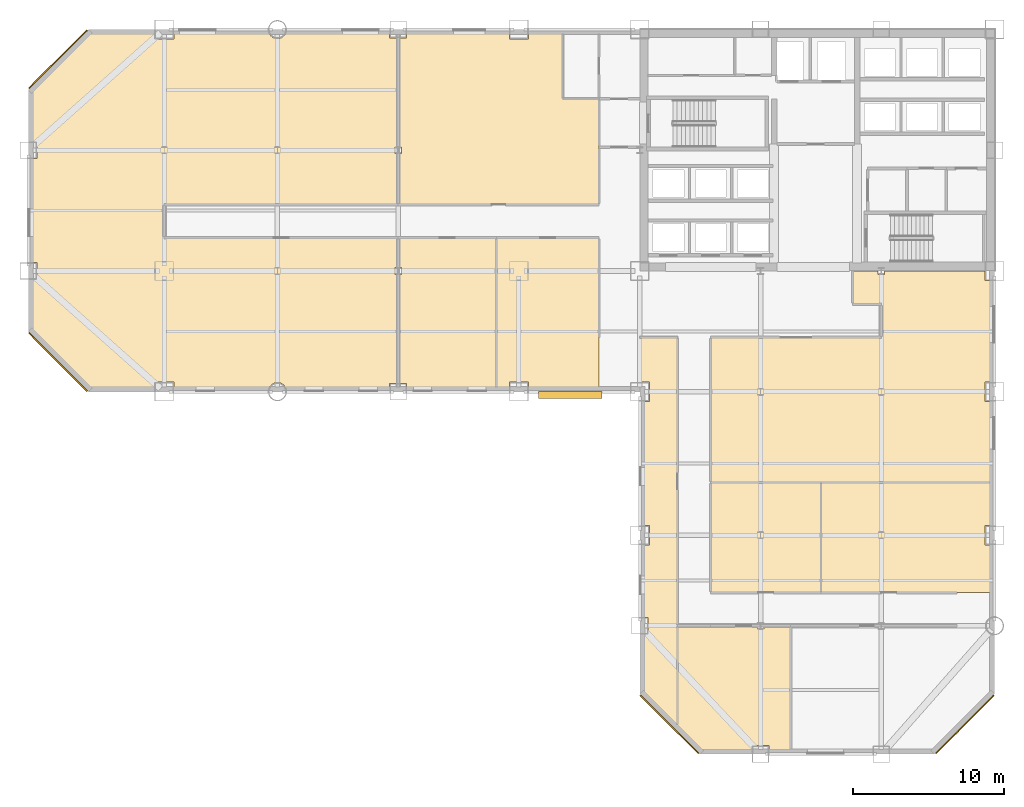
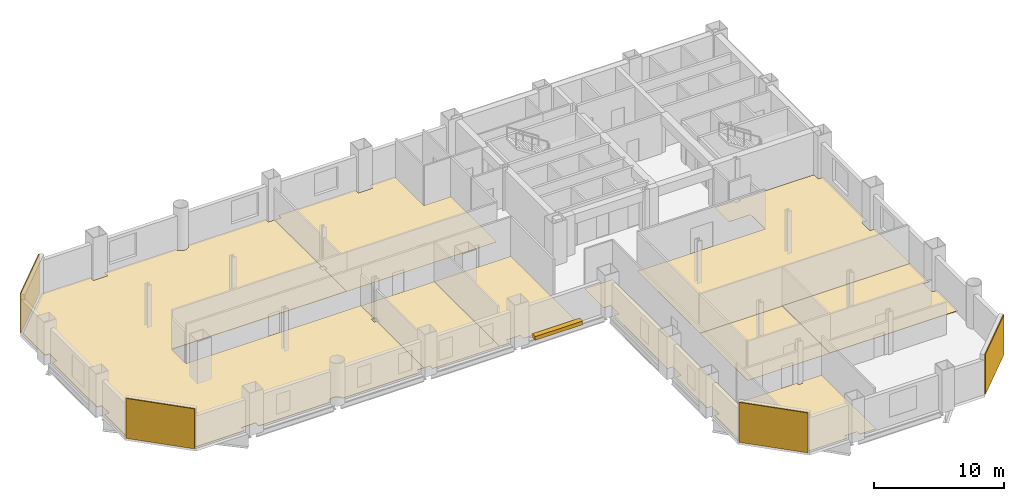
# One storey, part 8 of 9: 13 coverings, 1 shading device.
"""IFC4 building model written with IfcOpenShell, lengths in metres."""

from ifc_helpers import new_model, si_unit, direction, frame, origin, origin_2d, place, context, subcontext, project, spatial, polyline, rectangle, outline, extrude, material, layer, layer_set, type_object, element, save


model = new_model("IFC4")

# Units and contexts
model_context = context("Model", 3, precision=1e-05, world=origin(), true_north=direction((0.0, 1.0)))
body_context = subcontext(model_context, "Body", "Model", "MODEL_VIEW")
ifc_project = project(units=[si_unit("LENGTHUNIT", "METRE"), si_unit("AREAUNIT", "SQUARE_METRE"), si_unit("VOLUMEUNIT", "CUBIC_METRE"), si_unit("PLANEANGLEUNIT", "RADIAN"), si_unit("MASSUNIT", "GRAM", prefix="KILO")], contexts=[model_context])

# Site, building, storey
site_placement = place(None, origin())
site = spatial("IfcSite", under=ifc_project, at=site_placement, CompositionType="ELEMENT")
building_placement = place(site_placement, origin())
building = spatial("IfcBuilding", under=site, at=building_placement, Name="Qianrong Seaharbour Tower", CompositionType="ELEMENT")
storey_placement = place(building_placement, frame((0.0, 0.0, 60.199951171875)))
storey = spatial("IfcBuildingStorey", under=building, at=storey_placement, Name="L14", CompositionType="ELEMENT", Elevation=60.199951171875)

# Coverings
ifc_material_1 = material(Name="Unitised red brick cladding on Precast concrete C45/55", Category="masonry")
ifc_layer_1 = layer(ifc_material_1, 0.080078125)
ifc_layer_set_1 = layer_set([ifc_layer_1], Name="Unitised red brick cladding on Precast concrete C45/55")
covering_type_1 = type_object("IfcCoveringType", Name="COV-CLAD-RED-BRICK-80", PredefinedType="CLADDING", material=ifc_layer_set_1)
for number, where, z_axis, x_axis, name in (
    (1, (1.9716796875, 29.9716796875, 0.0), (0.0, 0.0, 1.0), (-0.707106781187, 0.707106781187, 0.0), "L14 Chamfer Corner Brick Cladding 02"),
    (2, (1.9716796875, 50.0283203125, 0.0), (0.0, 0.0, 1.0), (0.707106781187, 0.707106781187, 0.0), "L14 Chamfer Corner Brick Cladding 04"),
    (3, (62.0283203125, 5.9716796875, 0.0), (0.0, 0.0, 1.0), (-0.707106781187, -0.707106781187, 0.0), "L14 Chamfer Corner Brick Cladding 07"),
    (4, (42.4716796875, 5.9716796875, 0.0), (0.0, 0.0, 1.0), (-0.707106781187, 0.707106781187, 0.0), "L14 Chamfer Corner Brick Cladding 09"),
):
    element("IfcCovering", number, at=place(storey_placement, frame(where, z_axis=z_axis, x_axis=x_axis)), inside=storey, type_object=covering_type_1, Name=name, PredefinedType="CLADDING", context=body_context, shape_type="SweptSolid", body=[
        extrude(rectangle(XDim=5.456787109375, YDim=0.080078125, at=origin_2d()), origin(), (0.0, 0.0, 1.0), 3.75),
    ])
ifc_material_2 = material(Name="Acoustic modular carpet tile flooring")
ifc_layer_2 = layer(ifc_material_2, 0.02001953125)
ifc_layer_set_2 = layer_set([ifc_layer_2], Name="Acoustic modular carpet tile flooring")
covering_type_2 = type_object("IfcCoveringType", Name="COV-FLOOR-CARPET-20", PredefinedType="FLOORING", material=ifc_layer_set_2)
covering_1_placement = place(storey_placement, origin())
element("IfcCovering", 5, at=covering_1_placement, inside=storey, type_object=covering_type_2, Name="L14 Corporate Archive Room Finish Flooring", PredefinedType="FLOORING", context=body_context, shape_type="SweptSolid", body=[
    extrude(outline(polyline([(24.5, 43.77587890625), (24.71337890625, 43.77587890625), (24.71337890625, 44.22412109375), (24.5, 44.22412109375), (24.5, 51.43994140625), (25.06005859375, 51.43994140625), (25.06005859375, 51.8349609375), (31.864990234375, 51.8349609375), (31.864990234375, 51.364990234375), (33.135009765625, 51.364990234375), (33.135009765625, 51.8349609375), (35.39990234375, 51.8349609375), (35.39990234375, 47.39990234375), (37.800048828125, 47.39990234375), (37.800048828125, 40.39990234375), (24.5, 40.39990234375), (24.5, 43.77587890625)])), origin(), (0.0, 0.0, 1.0), 0.02001953125),
])
covering_2_placement = place(storey_placement, origin())
element("IfcCovering", 6, at=covering_2_placement, inside=storey, type_object=covering_type_2, Name="L14 Project Library 1 Finish Flooring", PredefinedType="FLOORING", context=body_context, shape_type="SweptSolid", body=[
    extrude(outline(polyline([(31.0, 28.1650390625), (25.06005859375, 28.1650390625), (25.06005859375, 28.56005859375), (24.5, 28.56005859375), (24.5, 35.77587890625), (24.71337890625, 35.77587890625), (24.71337890625, 36.22412109375), (24.5, 36.22412109375), (24.5, 38.199951171875), (31.0, 38.199951171875), (31.0, 28.1650390625)])), origin(), (0.0, 0.0, 1.0), 0.02001953125),
])
covering_3_placement = place(storey_placement, origin())
element("IfcCovering", 7, at=covering_3_placement, inside=storey, type_object=covering_type_2, Name="L14 Digital Media Hall 2 Finish Flooring", PredefinedType="FLOORING", context=body_context, shape_type="SweptSolid", body=[
    extrude(outline(polyline([(37.800048828125, 28.1650390625), (33.135009765625, 28.1650390625), (33.135009765625, 28.635009765625), (31.864990234375, 28.635009765625), (31.864990234375, 28.1650390625), (31.0, 28.1650390625), (31.0, 38.199951171875), (37.800048828125, 38.199951171875), (37.800048828125, 28.1650390625)])), origin(), (0.0, 0.0, 1.0), 0.02001953125),
])
covering_4_placement = place(storey_placement, origin())
element("IfcCovering", 8, at=covering_4_placement, inside=storey, type_object=covering_type_2, Name="L14 Staff Club Assembly Hall Finish Flooring", PredefinedType="FLOORING", context=body_context, shape_type="SweptSolid", body=[
    extrude(outline(polyline([(56.5, 31.60009765625), (56.5, 33.800048828125), (54.60009765625, 33.800048828125), (54.60009765625, 36.0), (56.28662109375, 36.0), (56.28662109375, 35.77587890625), (56.71337890625, 35.77587890625), (56.71337890625, 36.0), (63.364990234375, 36.0), (63.364990234375, 35.364990234375), (63.8349609375, 35.364990234375), (63.8349609375, 28.635009765625), (63.364990234375, 28.635009765625), (63.364990234375, 27.364990234375), (63.8349609375, 27.364990234375), (63.8349609375, 22.0), (45.199951171875, 22.0), (45.199951171875, 31.60009765625), (56.5, 31.60009765625)])), origin(), (0.0, 0.0, 1.0), 0.02001953125),
])
covering_5_placement = place(storey_placement, origin())
element("IfcCovering", 9, at=covering_5_placement, inside=storey, type_object=covering_type_2, Name="L14 Focus Room 1 Finish Flooring", PredefinedType="FLOORING", context=body_context, shape_type="SweptSolid", body=[
    extrude(outline(polyline([(52.5, 22.0), (52.5, 14.699951171875), (45.199951171875, 14.699951171875), (45.199951171875, 22.0), (52.5, 22.0)])), origin(), (0.0, 0.0, 1.0), 0.02001953125),
])
covering_6_placement = place(storey_placement, origin())
element("IfcCovering", 10, at=covering_6_placement, inside=storey, type_object=covering_type_2, Name="L14 Wet Pantry Finish Flooring", PredefinedType="FLOORING", context=body_context, shape_type="SweptSolid", body=[
    extrude(outline(polyline([(43.0, 5.7333984375), (40.6650390625, 8.068359375), (40.6650390625, 11.93994140625), (41.06005859375, 11.93994140625), (41.06005859375, 13.06005859375), (40.6650390625, 13.06005859375), (40.6650390625, 17.864990234375), (41.135009765625, 17.864990234375), (41.135009765625, 19.135009765625), (40.6650390625, 19.135009765625), (40.6650390625, 27.364990234375), (41.135009765625, 27.364990234375), (41.135009765625, 28.635009765625), (40.5, 28.635009765625), (40.5, 31.60009765625), (43.0, 31.60009765625), (43.0, 5.7333984375)])), origin(), (0.0, 0.0, 1.0), 0.02001953125),
])
covering_7_placement = place(storey_placement, origin())
element("IfcCovering", 11, at=covering_7_placement, inside=storey, type_object=covering_type_2, Name="L14 Harbour Symposium Hall 1 Finish Flooring", PredefinedType="FLOORING", context=body_context, shape_type="SweptSolid", body=[
    extrude(outline(polyline([(50.5, 4.1650390625), (49.06005859375, 4.1650390625), (49.06005859375, 4.56005859375), (47.93994140625, 4.56005859375), (47.93994140625, 4.1650390625), (44.568359375, 4.1650390625), (43.0, 5.7333984375), (43.0, 12.5), (48.28662109375, 12.5), (48.28662109375, 12.27587890625), (48.71337890625, 12.27587890625), (48.71337890625, 12.5), (50.5, 12.5), (50.5, 4.1650390625)])), origin(), (0.0, 0.0, 1.0), 0.02001953125),
])
ifc_material_3 = material(Name="Calcium-sulphate raised access floor tile")
ifc_layer_3 = layer(ifc_material_3, 0.044921875)
ifc_layer_set_3 = layer_set([ifc_layer_3], Name="Calcium-sulphate raised access floor tile")
covering_type_3 = type_object("IfcCoveringType", Name="COV-FLOOR-RAISED-45", PredefinedType="FLOORING", material=ifc_layer_set_3)
covering_8_placement = place(storey_placement, origin())
element("IfcCovering", 12, at=covering_8_placement, inside=storey, type_object=covering_type_3, Name="L14 West Harbour Open-Plan Office Finish Flooring", PredefinedType="FLOORING", context=body_context, shape_type="SweptSolid", body=[
    extrude(outline(polyline([(0.1650390625, 32.068359375), (0.1650390625, 35.43994140625), (0.56005859375, 35.43994140625), (0.56005859375, 36.56005859375), (0.1650390625, 36.56005859375), (0.1650390625, 43.43994140625), (0.56005859375, 43.43994140625), (0.56005859375, 44.56005859375), (0.1650390625, 44.56005859375), (0.1650390625, 47.931640625), (4.068359375, 51.8349609375), (8.364990234375, 51.8349609375), (8.364990234375, 51.364990234375), (9.635009765625, 51.364990234375), (9.635009765625, 51.8349609375), (15.915771484375, 51.8349609375), (15.936279296875, 51.7666015625), (15.992919921875, 51.6611328125), (16.068603515625, 51.568603515625), (16.1611328125, 51.492919921875), (16.2666015625, 51.436279296875), (16.381103515625, 51.401611328125), (16.5, 51.389892578125), (16.618896484375, 51.401611328125), (16.7333984375, 51.436279296875), (16.8388671875, 51.492919921875), (16.931396484375, 51.568603515625), (17.007080078125, 51.6611328125), (17.063720703125, 51.7666015625), (17.084228515625, 51.8349609375), (23.93994140625, 51.8349609375), (23.93994140625, 51.43994140625), (24.5, 51.43994140625), (24.5, 44.22412109375), (24.28662109375, 44.22412109375), (24.28662109375, 43.77587890625), (24.5, 43.77587890625), (24.5, 40.39990234375), (9.0, 40.39990234375), (9.0, 38.199951171875), (24.5, 38.199951171875), (24.5, 36.22412109375), (24.28662109375, 36.22412109375), (24.28662109375, 35.77587890625), (24.5, 35.77587890625), (24.5, 28.56005859375), (23.93994140625, 28.56005859375), (23.93994140625, 28.1650390625), (17.084228515625, 28.1650390625), (17.063720703125, 28.2333984375), (17.007080078125, 28.3388671875), (16.931396484375, 28.431396484375), (16.8388671875, 28.507080078125), (16.7333984375, 28.563720703125), (16.618896484375, 28.598388671875), (16.5, 28.610107421875), (16.381103515625, 28.598388671875), (16.2666015625, 28.563720703125), (16.1611328125, 28.507080078125), (16.068603515625, 28.431396484375), (15.992919921875, 28.3388671875), (15.936279296875, 28.2333984375), (15.915771484375, 28.1650390625), (9.635009765625, 28.1650390625), (9.635009765625, 28.635009765625), (8.364990234375, 28.635009765625), (8.364990234375, 28.1650390625), (4.068359375, 28.1650390625), (0.1650390625, 32.068359375)])), origin(), (0.0, 0.0, 1.0), 0.045166015625),
])
covering_9_placement = place(storey_placement, origin())
element("IfcCovering", 13, at=covering_9_placement, inside=storey, type_object=covering_type_3, Name="L14 Executive Office 2 Finish Flooring", PredefinedType="FLOORING", context=body_context, shape_type="SweptSolid", body=[
    extrude(outline(polyline([(63.8349609375, 22.0), (63.8349609375, 19.135009765625), (63.364990234375, 19.135009765625), (63.364990234375, 17.864990234375), (63.8349609375, 17.864990234375), (63.8349609375, 14.699951171875), (52.5, 14.699951171875), (52.5, 22.0), (63.8349609375, 22.0)])), origin(), (0.0, 0.0, 1.0), 0.045166015625),
])

# Shading device
ifc_material_4 = material(Name="White architectural precast concrete C45/55", Category="concrete")
shading_device_type = type_object("IfcShadingDeviceType", Name="SHD-SUNSHADE-WHITE-320", PredefinedType="AWNING", material=ifc_material_4)
shading_device_placement = place(storey_placement, frame((35.89990234375, 27.780029296875, -0.02001953125), z_axis=(0.0, 0.0, 1.0), x_axis=(1.0, 0.0, 0.0)))
element("IfcShadingDevice", 14, at=shading_device_placement, inside=storey, type_object=shading_device_type, Name="L14 Climbing White Precast Ribbon Canopy Fin", PredefinedType="AWNING", context=body_context, shape_type="SweptSolid", body=[
    extrude(rectangle(XDim=4.199951171875, YDim=0.4599609375, at=origin_2d()), origin(), (0.0, 0.0, 1.0), 0.340087890625),
])

save(model, "model.ifc")
